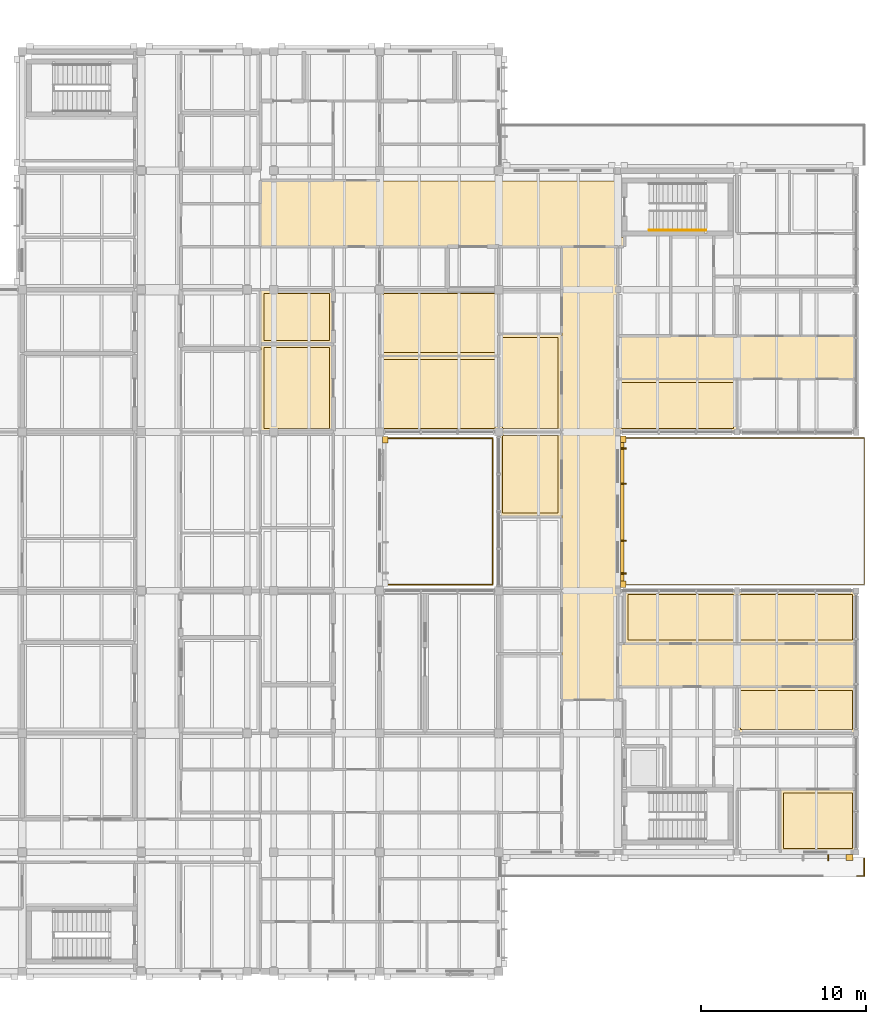
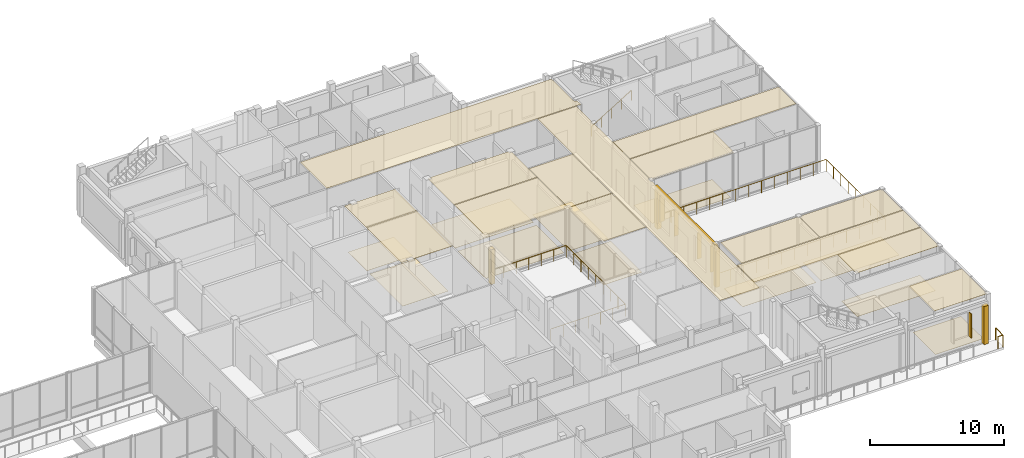
# One storey, part 144 of 146: 31 coverings, 5 shading devices, 4 railings.
"""IFC4 building model written with IfcOpenShell, lengths in metres."""

from ifc_helpers import new_model, si_unit, direction, frame, origin, origin_2d, place, context, subcontext, project, spatial, polyline, rectangle, circle, outline, extrude, material, layer, layer_set, type_object, element, save


model = new_model("IFC4")

# Units and contexts
model_context = context("Model", 3, precision=1e-05, world=origin(), true_north=direction((0.0, 1.0)))
body_context = subcontext(model_context, "Body", "Model", "MODEL_VIEW")
ifc_project = project(units=[si_unit("LENGTHUNIT", "METRE"), si_unit("AREAUNIT", "SQUARE_METRE"), si_unit("VOLUMEUNIT", "CUBIC_METRE"), si_unit("PLANEANGLEUNIT", "RADIAN"), si_unit("MASSUNIT", "GRAM", prefix="KILO")], contexts=[model_context])

# Site, building, storey
site_placement = place(None, origin())
site = spatial("IfcSite", under=ifc_project, at=site_placement, CompositionType="ELEMENT")
building_placement = place(site_placement, origin())
building = spatial("IfcBuilding", under=site, at=building_placement, Name="Hawrajan Terrace Health Centre", CompositionType="ELEMENT")
storey_placement = place(building_placement, frame((0.0, 0.0, 4.5)))
storey = spatial("IfcBuildingStorey", under=building, at=storey_placement, Name="L01", CompositionType="ELEMENT", Elevation=4.5)

# Coverings
ifc_material_1 = material(Name="Precast concrete C40/50", Category="concrete")
ifc_layer_1 = layer(ifc_material_1, 0.219970703125)
ifc_layer_set_1 = layer_set([ifc_layer_1], Name="Precast concrete C40/50")
covering_type_1 = type_object("IfcCoveringType", Name="ArtDecoCorniceBand", PredefinedType="CLADDING", material=ifc_layer_set_1)
covering_1_placement = place(storey_placement, frame((151.27001953125, 31.985107421875, 3.48974609375), z_axis=(0.0, 0.0, 1.0), x_axis=(0.0, 1.0, 0.0)))
element("IfcCovering", 1, at=covering_1_placement, inside=storey, type_object=covering_type_1, Name="Art Deco limestone cornice band CRN-L01-0098", PredefinedType="CLADDING", context=body_context, shape_type="SweptSolid", body=[
    extrude(rectangle(XDim=9.169921875, YDim=0.219970703125, at=origin_2d()), origin(), (0.0, 0.0, 1.0), 0.300048828125),
])
ifc_layer_2 = layer(ifc_material_1, 0.340087890625)
ifc_layer_set_2 = layer_set([ifc_layer_2], Name="Precast concrete C40/50")
covering_type_2 = type_object("IfcCoveringType", Name="ArtDecoStonePilaster", PredefinedType="CLADDING", material=ifc_layer_set_2)
covering_2_placement = place(storey_placement, frame((136.929931640625, 36.330078125, 0.0), z_axis=(0.0, 0.0, 1.0), x_axis=(0.0, 1.0, 0.0)))
element("IfcCovering", 2, at=covering_2_placement, inside=storey, type_object=covering_type_2, Name="Art Deco fluted limestone pilaster FPIL-L01-0161", PredefinedType="CLADDING", context=body_context, shape_type="SweptSolid", body=[
    extrude(rectangle(XDim=0.39990234375, YDim=0.340087890625, at=origin_2d()), origin(), (0.0, 0.0, 1.0), 3.199951171875),
])
for number, where, z_axis, x_axis, name in (
    (3, (151.330078125, 27.60009765625, 0.0), (0.0, 0.0, 1.0), (0.0, 1.0, 0.0), "Art Deco fluted limestone pilaster FPIL-L01-0174"),
    (4, (151.330078125, 36.3701171875, 0.0), (0.0, 0.0, 1.0), (0.0, 1.0, 0.0), "Art Deco fluted limestone pilaster FPIL-L01-0175"),
    (5, (165.0, 11.080078125, 0.0), (0.0, 0.0, 1.0), (1.0, 0.0, 0.0), "Art Deco fluted limestone pilaster FPIL-L01-0183"),
):
    element("IfcCovering", number, at=place(storey_placement, frame(where, z_axis=z_axis, x_axis=x_axis)), inside=storey, type_object=covering_type_2, Name=name, PredefinedType="CLADDING", context=body_context, shape_type="SweptSolid", body=[
        extrude(rectangle(XDim=0.39990234375, YDim=0.340087890625, at=origin_2d()), origin(), (0.0, 0.0, 1.0), 3.47998046875),
    ])
ifc_material_2 = material(Name="Hygienic mineral-fibre acoustic tile ceiling")
ifc_layer_3 = layer(ifc_material_2, 0.02490234375)
ifc_layer_set_3 = layer_set([ifc_layer_3], Name="Hygienic mineral-fibre acoustic tile ceiling")
covering_type_3 = type_object("IfcCoveringType", Name="ClinicalAcousticCeiling_25", PredefinedType="CEILING", material=ifc_layer_set_3)
covering_3_placement = place(storey_placement, frame((0.0, 0.0, 4.155029296875)))
element("IfcCovering", 6, at=covering_3_placement, inside=storey, type_object=covering_type_3, Name="Suspended ceiling L01-040", PredefinedType="CEILING", context=body_context, shape_type="SweptSolid", body=[
    extrude(outline(polyline([(147.6201171875, 47.97998046875), (150.97998046875, 47.97998046875), (150.97998046875, 20.6201171875), (147.6201171875, 20.6201171875), (147.6201171875, 47.97998046875)])), origin(), (0.0, 0.0, 1.0), 0.02490234375),
])
covering_4_placement = place(storey_placement, frame((0.0, 0.0, 4.155029296875)))
element("IfcCovering", 7, at=covering_4_placement, inside=storey, type_object=covering_type_3, Name="Suspended ceiling L01-041", PredefinedType="CEILING", context=body_context, shape_type="SweptSolid", body=[
    extrude(outline(polyline([(151.02001953125, 23.97998046875), (165.3798828125, 23.97998046875), (165.3798828125, 21.419921875), (151.02001953125, 21.419921875), (151.02001953125, 23.97998046875)])), origin(), (0.0, 0.0, 1.0), 0.02490234375),
])
covering_5_placement = place(storey_placement, frame((0.0, 0.0, 4.155029296875)))
element("IfcCovering", 8, at=covering_5_placement, inside=storey, type_object=covering_type_3, Name="Suspended ceiling L01-044", PredefinedType="CEILING", context=body_context, shape_type="SweptSolid", body=[
    extrude(outline(polyline([(151.02001953125, 42.580078125), (165.3798828125, 42.580078125), (165.3798828125, 40.02001953125), (151.02001953125, 40.02001953125), (151.02001953125, 42.580078125)])), origin(), (0.0, 0.0, 1.0), 0.02490234375),
])
covering_6_placement = place(storey_placement, frame((0.0, 0.0, 4.155029296875)))
element("IfcCovering", 9, at=covering_6_placement, inside=storey, type_object=covering_type_3, Name="Suspended ceiling L01-048", PredefinedType="CEILING", context=body_context, shape_type="SweptSolid", body=[
    extrude(outline(polyline([(151.3798828125, 48.02001953125), (129.425048828125, 48.02001953125), (129.425048828125, 51.97998046875), (151.1298828125, 51.97998046875), (151.1298828125, 48.800048828125), (151.1298828125, 48.799072265625), (151.131103515625, 48.7744140625), (151.13134765625, 48.772705078125), (151.135009765625, 48.748291015625), (151.135498046875, 48.746337890625), (151.141357421875, 48.72265625), (151.141845703125, 48.720703125), (151.150146484375, 48.697509765625), (151.15087890625, 48.69580078125), (151.161376953125, 48.673583984375), (151.162353515625, 48.671875), (151.175048828125, 48.65087890625), (151.176025390625, 48.649169921875), (151.190673828125, 48.62939453125), (151.19189453125, 48.6279296875), (151.20849609375, 48.60986328125), (151.209716796875, 48.6083984375), (151.22802734375, 48.591796875), (151.2294921875, 48.5908203125), (151.249267578125, 48.576171875), (151.250732421875, 48.574951171875), (151.27197265625, 48.5625), (151.273681640625, 48.561279296875), (151.2958984375, 48.551025390625), (151.297607421875, 48.55029296875), (151.32080078125, 48.5419921875), (151.322509765625, 48.54150390625), (151.346435546875, 48.535400390625), (151.348388671875, 48.534912109375), (151.37255859375, 48.531494140625), (151.37451171875, 48.53125), (151.3798828125, 48.531005859375), (151.3798828125, 48.02001953125)])), origin(), (0.0, 0.0, 1.0), 0.02490234375),
])
covering_7_placement = place(storey_placement, frame((0.0, 0.0, 4.155029296875)))
element("IfcCovering", 10, at=covering_7_placement, inside=storey, type_object=covering_type_3, Name="Suspended ceiling L01-165", PredefinedType="CEILING", context=body_context, shape_type="SweptSolid", body=[
    extrude(outline(polyline([(129.425048828125, 42.103515625), (133.780029296875, 42.103515625), (133.780029296875, 36.820068359375), (129.425048828125, 36.820068359375), (129.425048828125, 42.103515625)])), origin(), (0.0, 0.0, 1.0), 0.02490234375),
])
covering_8_placement = place(storey_placement, frame((0.0, 0.0, 4.155029296875)))
element("IfcCovering", 11, at=covering_8_placement, inside=storey, type_object=covering_type_3, Name="Suspended ceiling L01-166", PredefinedType="CEILING", context=body_context, shape_type="SweptSolid", body=[
    extrude(outline(polyline([(129.425048828125, 45.3798828125), (133.780029296875, 45.3798828125), (133.780029296875, 42.143310546875), (129.425048828125, 42.143310546875), (129.425048828125, 45.3798828125)])), origin(), (0.0, 0.0, 1.0), 0.02490234375),
])
covering_9_placement = place(storey_placement, frame((0.0, 0.0, 4.155029296875)))
element("IfcCovering", 12, at=covering_9_placement, inside=storey, type_object=covering_type_3, Name="Suspended ceiling L01-173", PredefinedType="CEILING", context=body_context, shape_type="SweptSolid", body=[
    extrude(outline(polyline([(136.6201171875, 41.372314453125), (143.780029296875, 41.372314453125), (143.780029296875, 36.820068359375), (136.6201171875, 36.820068359375), (136.6201171875, 41.372314453125)])), origin(), (0.0, 0.0, 1.0), 0.02490234375),
])
covering_10_placement = place(storey_placement, frame((0.0, 0.0, 4.155029296875)))
element("IfcCovering", 13, at=covering_10_placement, inside=storey, type_object=covering_type_3, Name="Suspended ceiling L01-174", PredefinedType="CEILING", context=body_context, shape_type="SweptSolid", body=[
    extrude(outline(polyline([(136.6201171875, 45.3798828125), (143.780029296875, 45.3798828125), (143.780029296875, 41.412353515625), (136.6201171875, 41.412353515625), (136.6201171875, 45.3798828125)])), origin(), (0.0, 0.0, 1.0), 0.02490234375),
])
covering_11_placement = place(storey_placement, frame((0.0, 0.0, 4.155029296875)))
element("IfcCovering", 14, at=covering_11_placement, inside=storey, type_object=covering_type_3, Name="Suspended ceiling L01-182", PredefinedType="CEILING", context=body_context, shape_type="SweptSolid", body=[
    extrude(outline(polyline([(143.820068359375, 36.780029296875), (147.580078125, 36.780029296875), (147.580078125, 31.693603515625), (143.820068359375, 31.693603515625), (143.820068359375, 36.780029296875)])), origin(), (0.0, 0.0, 1.0), 0.02490234375),
])
covering_12_placement = place(storey_placement, frame((0.0, 0.0, 4.155029296875)))
element("IfcCovering", 15, at=covering_12_placement, inside=storey, type_object=covering_type_3, Name="Suspended ceiling L01-183", PredefinedType="CEILING", context=body_context, shape_type="SweptSolid", body=[
    extrude(outline(polyline([(143.820068359375, 42.69677734375), (147.580078125, 42.69677734375), (147.580078125, 36.820068359375), (143.820068359375, 36.820068359375), (143.820068359375, 42.69677734375)])), origin(), (0.0, 0.0, 1.0), 0.02490234375),
])
covering_13_placement = place(storey_placement, frame((0.0, 0.0, 4.155029296875)))
element("IfcCovering", 16, at=covering_13_placement, inside=storey, type_object=covering_type_3, Name="Suspended ceiling L01-185", PredefinedType="CEILING", context=body_context, shape_type="SweptSolid", body=[
    extrude(outline(polyline([(151.419921875, 27.179931640625), (158.179931640625, 27.179931640625), (158.179931640625, 24.02001953125), (151.419921875, 24.02001953125), (151.419921875, 27.179931640625)])), origin(), (0.0, 0.0, 1.0), 0.02490234375),
])
covering_14_placement = place(storey_placement, frame((0.0, 0.0, 4.155029296875)))
element("IfcCovering", 17, at=covering_14_placement, inside=storey, type_object=covering_type_3, Name="Suspended ceiling L01-186", PredefinedType="CEILING", context=body_context, shape_type="SweptSolid", body=[
    extrude(outline(polyline([(151.02001953125, 39.97998046875), (158.179931640625, 39.97998046875), (158.179931640625, 36.820068359375), (151.02001953125, 36.820068359375), (151.02001953125, 39.97998046875)])), origin(), (0.0, 0.0, 1.0), 0.02490234375),
])
covering_15_placement = place(storey_placement, frame((0.0, 0.0, 4.155029296875)))
element("IfcCovering", 18, at=covering_15_placement, inside=storey, type_object=covering_type_3, Name="Suspended ceiling L01-187", PredefinedType="CEILING", context=body_context, shape_type="SweptSolid", body=[
    extrude(outline(polyline([(160.820068359375, 15.179931640625), (165.3798828125, 15.179931640625), (165.3798828125, 11.419921875), (160.820068359375, 11.419921875), (160.820068359375, 15.179931640625)])), origin(), (0.0, 0.0, 1.0), 0.02490234375),
])
covering_16_placement = place(storey_placement, frame((0.0, 0.0, 4.155029296875)))
element("IfcCovering", 19, at=covering_16_placement, inside=storey, type_object=covering_type_3, Name="Suspended ceiling L01-188", PredefinedType="CEILING", context=body_context, shape_type="SweptSolid", body=[
    extrude(outline(polyline([(158.219970703125, 21.3798828125), (165.3798828125, 21.3798828125), (165.3798828125, 18.6201171875), (158.219970703125, 18.6201171875), (158.219970703125, 21.3798828125)])), origin(), (0.0, 0.0, 1.0), 0.02490234375),
])
covering_17_placement = place(storey_placement, frame((0.0, 0.0, 4.155029296875)))
element("IfcCovering", 20, at=covering_17_placement, inside=storey, type_object=covering_type_3, Name="Suspended ceiling L01-189", PredefinedType="CEILING", context=body_context, shape_type="SweptSolid", body=[
    extrude(outline(polyline([(158.219970703125, 27.179931640625), (165.3798828125, 27.179931640625), (165.3798828125, 24.02001953125), (158.219970703125, 24.02001953125), (158.219970703125, 27.179931640625)])), origin(), (0.0, 0.0, 1.0), 0.02490234375),
])
ifc_material_3 = material(Name="Seamless medical-grade cushioned vinyl flooring")
ifc_layer_4 = layer(ifc_material_3, 0.011962890625)
ifc_layer_set_4 = layer_set([ifc_layer_4], Name="Seamless medical-grade cushioned vinyl flooring")
covering_type_4 = type_object("IfcCoveringType", Name="ClinicalVinylFlooring_12", PredefinedType="FLOORING", material=ifc_layer_set_4)
covering_18_placement = place(storey_placement, origin())
element("IfcCovering", 21, at=covering_18_placement, inside=storey, type_object=covering_type_4, Name="Floor finish L01-165", PredefinedType="FLOORING", context=body_context, shape_type="SweptSolid", body=[
    extrude(outline(polyline([(129.625, 41.9033203125), (133.580078125, 41.9033203125), (133.580078125, 37.02001953125), (129.625, 37.02001953125), (129.625, 41.9033203125)])), origin(), (0.0, 0.0, 1.0), 0.011962890625),
])
covering_19_placement = place(storey_placement, origin())
element("IfcCovering", 22, at=covering_19_placement, inside=storey, type_object=covering_type_4, Name="Floor finish L01-166", PredefinedType="FLOORING", context=body_context, shape_type="SweptSolid", body=[
    extrude(outline(polyline([(129.625, 45.179931640625), (133.580078125, 45.179931640625), (133.580078125, 42.343505859375), (129.625, 42.343505859375), (129.625, 45.179931640625)])), origin(), (0.0, 0.0, 1.0), 0.011962890625),
])
covering_20_placement = place(storey_placement, origin())
element("IfcCovering", 23, at=covering_20_placement, inside=storey, type_object=covering_type_4, Name="Floor finish L01-173", PredefinedType="FLOORING", context=body_context, shape_type="SweptSolid", body=[
    extrude(outline(polyline([(136.820068359375, 41.17236328125), (143.580078125, 41.17236328125), (143.580078125, 37.02001953125), (136.820068359375, 37.02001953125), (136.820068359375, 41.17236328125)])), origin(), (0.0, 0.0, 1.0), 0.011962890625),
])
covering_21_placement = place(storey_placement, origin())
element("IfcCovering", 24, at=covering_21_placement, inside=storey, type_object=covering_type_4, Name="Floor finish L01-174", PredefinedType="FLOORING", context=body_context, shape_type="SweptSolid", body=[
    extrude(outline(polyline([(136.820068359375, 45.179931640625), (143.580078125, 45.179931640625), (143.580078125, 41.6123046875), (136.820068359375, 41.6123046875), (136.820068359375, 45.179931640625)])), origin(), (0.0, 0.0, 1.0), 0.011962890625),
])
covering_22_placement = place(storey_placement, origin())
element("IfcCovering", 25, at=covering_22_placement, inside=storey, type_object=covering_type_4, Name="Floor finish L01-182", PredefinedType="FLOORING", context=body_context, shape_type="SweptSolid", body=[
    extrude(outline(polyline([(144.02001953125, 36.580078125), (147.3798828125, 36.580078125), (147.3798828125, 31.8935546875), (144.02001953125, 31.8935546875), (144.02001953125, 36.580078125)])), origin(), (0.0, 0.0, 1.0), 0.011962890625),
])
covering_23_placement = place(storey_placement, origin())
element("IfcCovering", 26, at=covering_23_placement, inside=storey, type_object=covering_type_4, Name="Floor finish L01-183", PredefinedType="FLOORING", context=body_context, shape_type="SweptSolid", body=[
    extrude(outline(polyline([(144.02001953125, 42.496826171875), (147.3798828125, 42.496826171875), (147.3798828125, 37.02001953125), (144.02001953125, 37.02001953125), (144.02001953125, 42.496826171875)])), origin(), (0.0, 0.0, 1.0), 0.011962890625),
])
covering_24_placement = place(storey_placement, origin())
element("IfcCovering", 27, at=covering_24_placement, inside=storey, type_object=covering_type_4, Name="Floor finish L01-185", PredefinedType="FLOORING", context=body_context, shape_type="SweptSolid", body=[
    extrude(outline(polyline([(151.6201171875, 26.97998046875), (157.97998046875, 26.97998046875), (157.97998046875, 24.219970703125), (151.6201171875, 24.219970703125), (151.6201171875, 26.97998046875)])), origin(), (0.0, 0.0, 1.0), 0.011962890625),
])
covering_25_placement = place(storey_placement, origin())
element("IfcCovering", 28, at=covering_25_placement, inside=storey, type_object=covering_type_4, Name="Floor finish L01-186", PredefinedType="FLOORING", context=body_context, shape_type="SweptSolid", body=[
    extrude(outline(polyline([(151.219970703125, 39.780029296875), (157.97998046875, 39.780029296875), (157.97998046875, 37.02001953125), (151.219970703125, 37.02001953125), (151.219970703125, 39.780029296875)])), origin(), (0.0, 0.0, 1.0), 0.011962890625),
])
covering_26_placement = place(storey_placement, origin())
element("IfcCovering", 29, at=covering_26_placement, inside=storey, type_object=covering_type_4, Name="Floor finish L01-187", PredefinedType="FLOORING", context=body_context, shape_type="SweptSolid", body=[
    extrude(outline(polyline([(161.02001953125, 14.97998046875), (165.179931640625, 14.97998046875), (165.179931640625, 11.6201171875), (161.02001953125, 11.6201171875), (161.02001953125, 14.97998046875)])), origin(), (0.0, 0.0, 1.0), 0.011962890625),
])
covering_27_placement = place(storey_placement, origin())
element("IfcCovering", 30, at=covering_27_placement, inside=storey, type_object=covering_type_4, Name="Floor finish L01-188", PredefinedType="FLOORING", context=body_context, shape_type="SweptSolid", body=[
    extrude(outline(polyline([(158.419921875, 21.179931640625), (165.179931640625, 21.179931640625), (165.179931640625, 18.820068359375), (158.419921875, 18.820068359375), (158.419921875, 21.179931640625)])), origin(), (0.0, 0.0, 1.0), 0.011962890625),
])
covering_28_placement = place(storey_placement, origin())
element("IfcCovering", 31, at=covering_28_placement, inside=storey, type_object=covering_type_4, Name="Floor finish L01-189", PredefinedType="FLOORING", context=body_context, shape_type="SweptSolid", body=[
    extrude(outline(polyline([(158.419921875, 26.97998046875), (165.179931640625, 26.97998046875), (165.179931640625, 24.219970703125), (158.419921875, 24.219970703125), (158.419921875, 26.97998046875)])), origin(), (0.0, 0.0, 1.0), 0.011962890625),
])

# Shading devices
ifc_material_4 = material(Name="Anodized bronze mashrabiya vertical solar fin")
ifc_layer_5 = layer(ifc_material_4, 0.080078125)
ifc_layer_set_5 = layer_set([ifc_layer_5], Name="Anodized bronze mashrabiya vertical solar fin")
shading_device_type = type_object("IfcShadingDeviceType", Name="MashrabiyaVerticalFin", PredefinedType="USERDEFINED", material=ifc_layer_set_5)
for number, where, z_axis, x_axis, name in (
    (32, (151.340087890625, 28.24755859375, 0.900146484375), (0.0, 0.0, 1.0), (0.0, 1.0, 0.0), "Bronze mashrabiya solar fin FIN-L01-0121"),
    (33, (151.340087890625, 30.2275390625, 0.900146484375), (0.0, 0.0, 1.0), (0.0, 1.0, 0.0), "Bronze mashrabiya solar fin FIN-L01-0122"),
    (34, (151.340087890625, 33.66748046875, 0.900146484375), (0.0, 0.0, 1.0), (0.0, 1.0, 0.0), "Bronze mashrabiya solar fin FIN-L01-0123"),
    (35, (151.340087890625, 35.797607421875, 0.900146484375), (0.0, 0.0, 1.0), (0.0, 1.0, 0.0), "Bronze mashrabiya solar fin FIN-L01-0124"),
):
    element("IfcShadingDevice", number, at=place(storey_placement, frame(where, z_axis=z_axis, x_axis=x_axis)), inside=storey, type_object=shading_device_type, Name=name, ObjectType="SOLAR_FIN", PredefinedType="USERDEFINED", context=body_context, shape_type="SweptSolid", body=[
        extrude(rectangle(XDim=0.080078125, YDim=0.360107421875, at=origin_2d()), origin(), (0.0, 0.0, 1.0), 2.39990234375),
    ])
shading_device_placement = place(storey_placement, frame((163.715087890625, 11.070068359375, 1.0), z_axis=(0.0, 0.0, 1.0), x_axis=(1.0, 0.0, 0.0)))
element("IfcShadingDevice", 36, at=shading_device_placement, inside=storey, type_object=shading_device_type, Name="Bronze mashrabiya solar fin FIN-L01-0126", ObjectType="SOLAR_FIN", PredefinedType="USERDEFINED", context=body_context, shape_type="SweptSolid", body=[
    extrude(rectangle(XDim=0.080078125, YDim=0.360107421875, at=origin_2d()), origin(), (0.0, 0.0, 1.0), 2.199951171875),
])

# Railings
ifc_material_5 = material(Name="Brushed stainless steel tubular handrail", Category="steel")
railing_type_1 = type_object("IfcRailingType", Name="StairHandrail_900", PredefinedType="HANDRAIL", material=ifc_material_5)
railing_1_placement = place(storey_placement, frame((152.875, 49.0, 0.173095703125)))
element("IfcRailing", 37, at=railing_1_placement, inside=storey, type_object=railing_type_1, Name="Stair handrail ST-9-L01-H1", PredefinedType="HANDRAIL", context=body_context, shape_type="SweptSolid", body=[
    extrude(circle(Radius=0.02392578125, at=origin_2d()), frame((0.024658203125, 0.0, 0.890625), z_axis=(0.856732359591, 0.0, 0.515761247119), x_axis=(0.0, 1.0, 0.0)), (0.0, 0.0, 1.0), 3.96923828125),
    extrude(circle(Radius=0.02099609375, at=origin_2d()), origin(), (0.0, 0.0, 1.0), 0.846923828125),
    extrude(circle(Radius=0.02099609375, at=origin_2d()), frame((0.862548828125, 0.0, 0.519287109375)), (0.0, 0.0, 1.0), 0.846923828125),
    extrude(circle(Radius=0.02099609375, at=origin_2d()), frame((1.72509765625, 0.0, 1.03857421875)), (0.0, 0.0, 1.0), 0.846923828125),
    extrude(circle(Radius=0.02099609375, at=origin_2d()), frame((2.58740234375, 0.0, 1.5576171875)), (0.0, 0.0, 1.0), 0.846923828125),
    extrude(circle(Radius=0.02099609375, at=origin_2d()), frame((3.449951171875, 0.0, 2.076904296875)), (0.0, 0.0, 1.0), 0.846923828125),
])
ifc_material_6 = material(Name="Anodized bronze post and balustrade guard")
railing_type_2 = type_object("IfcRailingType", Name="TerraceGuard_1120", PredefinedType="GUARDRAIL", material=ifc_material_6)
railing_2_placement = place(storey_placement, frame((151.3701171875, 27.570068359375, 0.0)))
element("IfcRailing", 38, at=railing_2_placement, inside=storey, type_object=railing_type_2, Name="Terrace apron guard GR-AP-GAIT-ALL", PredefinedType="GUARDRAIL", context=body_context, shape_type="SweptSolid", body=[
    extrude(circle(Radius=0.02392578125, at=origin_2d()), frame((0.02880859375, 0.0, 1.09619140625), z_axis=(1.0, 0.0, 0.0), x_axis=(0.0, 1.0, 0.0)), (0.0, 0.0, 1.0), 14.462158203125),
    extrude(circle(Radius=0.02392578125, at=origin_2d()), frame((14.519775390625, 0.02880859375, 1.09619140625), z_axis=(0.0, 1.0, 0.0), x_axis=(-1.0, 0.0, 0.0)), (0.0, 0.0, 1.0), 8.80224609375),
    extrude(circle(Radius=0.02392578125, at=origin_2d()), frame((14.490966796875, 8.85986328125, 1.09619140625), z_axis=(-1.0, 0.0, 0.0), x_axis=(0.0, -1.0, 0.0)), (0.0, 0.0, 1.0), 14.462158203125),
    extrude(circle(Radius=0.02099609375, at=origin_2d()), origin(), (0.0, 0.0, 1.0), 1.067138671875),
    extrude(circle(Radius=0.02099609375, at=origin_2d()), frame((1.116943359375, 0.0, 0.0)), (0.0, 0.0, 1.0), 1.067138671875),
    extrude(circle(Radius=0.02099609375, at=origin_2d()), frame((2.23388671875, 0.0, 0.0)), (0.0, 0.0, 1.0), 1.067138671875),
    extrude(circle(Radius=0.02099609375, at=origin_2d()), frame((3.350830078125, 0.0, 0.0)), (0.0, 0.0, 1.0), 1.067138671875),
    extrude(circle(Radius=0.02099609375, at=origin_2d()), frame((4.467529296875, 0.0, 0.0)), (0.0, 0.0, 1.0), 1.067138671875),
    extrude(circle(Radius=0.02099609375, at=origin_2d()), frame((5.58447265625, 0.0, 0.0)), (0.0, 0.0, 1.0), 1.067138671875),
    extrude(circle(Radius=0.02099609375, at=origin_2d()), frame((6.701416015625, 0.0, 0.0)), (0.0, 0.0, 1.0), 1.067138671875),
    extrude(circle(Radius=0.02099609375, at=origin_2d()), frame((7.818359375, 0.0, 0.0)), (0.0, 0.0, 1.0), 1.067138671875),
    extrude(circle(Radius=0.02099609375, at=origin_2d()), frame((8.935302734375, 0.0, 0.0)), (0.0, 0.0, 1.0), 1.067138671875),
    extrude(circle(Radius=0.02099609375, at=origin_2d()), frame((10.05224609375, 0.0, 0.0)), (0.0, 0.0, 1.0), 1.067138671875),
    extrude(circle(Radius=0.02099609375, at=origin_2d()), frame((11.1689453125, 0.0, 0.0)), (0.0, 0.0, 1.0), 1.067138671875),
    extrude(circle(Radius=0.02099609375, at=origin_2d()), frame((12.285888671875, 0.0, 0.0)), (0.0, 0.0, 1.0), 1.067138671875),
    extrude(circle(Radius=0.02099609375, at=origin_2d()), frame((13.40283203125, 0.0, 0.0)), (0.0, 0.0, 1.0), 1.067138671875),
    extrude(circle(Radius=0.02099609375, at=origin_2d()), frame((14.519775390625, 0.0, 0.0)), (0.0, 0.0, 1.0), 1.067138671875),
    extrude(circle(Radius=0.02099609375, at=origin_2d()), frame((14.519775390625, 1.107421875, 0.0)), (0.0, 0.0, 1.0), 1.067138671875),
    extrude(circle(Radius=0.02099609375, at=origin_2d()), frame((14.519775390625, 2.21484375, 0.0)), (0.0, 0.0, 1.0), 1.067138671875),
    extrude(circle(Radius=0.02099609375, at=origin_2d()), frame((14.519775390625, 3.322509765625, 0.0)), (0.0, 0.0, 1.0), 1.067138671875),
    extrude(circle(Radius=0.02099609375, at=origin_2d()), frame((14.519775390625, 4.429931640625, 0.0)), (0.0, 0.0, 1.0), 1.067138671875),
    extrude(circle(Radius=0.02099609375, at=origin_2d()), frame((14.519775390625, 5.537353515625, 0.0)), (0.0, 0.0, 1.0), 1.067138671875),
    extrude(circle(Radius=0.02099609375, at=origin_2d()), frame((14.519775390625, 6.64501953125, 0.0)), (0.0, 0.0, 1.0), 1.067138671875),
    extrude(circle(Radius=0.02099609375, at=origin_2d()), frame((14.519775390625, 7.75244140625, 0.0)), (0.0, 0.0, 1.0), 1.067138671875),
    extrude(circle(Radius=0.02099609375, at=origin_2d()), frame((14.519775390625, 8.85986328125, 0.0)), (0.0, 0.0, 1.0), 1.067138671875),
    extrude(circle(Radius=0.02099609375, at=origin_2d()), frame((13.40283203125, 8.85986328125, 0.0)), (0.0, 0.0, 1.0), 1.067138671875),
    extrude(circle(Radius=0.02099609375, at=origin_2d()), frame((12.285888671875, 8.85986328125, 0.0)), (0.0, 0.0, 1.0), 1.067138671875),
    extrude(circle(Radius=0.02099609375, at=origin_2d()), frame((11.1689453125, 8.85986328125, 0.0)), (0.0, 0.0, 1.0), 1.067138671875),
    extrude(circle(Radius=0.02099609375, at=origin_2d()), frame((10.05224609375, 8.85986328125, 0.0)), (0.0, 0.0, 1.0), 1.067138671875),
    extrude(circle(Radius=0.02099609375, at=origin_2d()), frame((8.935302734375, 8.85986328125, 0.0)), (0.0, 0.0, 1.0), 1.067138671875),
    extrude(circle(Radius=0.02099609375, at=origin_2d()), frame((7.818359375, 8.85986328125, 0.0)), (0.0, 0.0, 1.0), 1.067138671875),
    extrude(circle(Radius=0.02099609375, at=origin_2d()), frame((6.701416015625, 8.85986328125, 0.0)), (0.0, 0.0, 1.0), 1.067138671875),
    extrude(circle(Radius=0.02099609375, at=origin_2d()), frame((5.58447265625, 8.85986328125, 0.0)), (0.0, 0.0, 1.0), 1.067138671875),
    extrude(circle(Radius=0.02099609375, at=origin_2d()), frame((4.467529296875, 8.85986328125, 0.0)), (0.0, 0.0, 1.0), 1.067138671875),
    extrude(circle(Radius=0.02099609375, at=origin_2d()), frame((3.350830078125, 8.85986328125, 0.0)), (0.0, 0.0, 1.0), 1.067138671875),
    extrude(circle(Radius=0.02099609375, at=origin_2d()), frame((2.23388671875, 8.85986328125, 0.0)), (0.0, 0.0, 1.0), 1.067138671875),
    extrude(circle(Radius=0.02099609375, at=origin_2d()), frame((1.116943359375, 8.85986328125, 0.0)), (0.0, 0.0, 1.0), 1.067138671875),
    extrude(circle(Radius=0.02099609375, at=origin_2d()), frame((0.0, 8.85986328125, 0.0)), (0.0, 0.0, 1.0), 1.067138671875),
])
railing_3_placement = place(storey_placement, frame((165.449951171875, 9.9599609375, 0.0)))
element("IfcRailing", 39, at=railing_3_placement, inside=storey, type_object=railing_type_2, Name="Terrace apron guard GR-AP-ES-E", PredefinedType="GUARDRAIL", context=body_context, shape_type="SweptSolid", body=[
    extrude(circle(Radius=0.02392578125, at=origin_2d()), frame((0.02880859375, 0.0, 1.09619140625), z_axis=(1.0, 0.0, 0.0), x_axis=(0.0, 1.0, 0.0)), (0.0, 0.0, 1.0), 0.38232421875),
    extrude(circle(Radius=0.02392578125, at=origin_2d()), frame((0.43994140625, 0.02880859375, 1.09619140625), z_axis=(0.0, 1.0, 0.0), x_axis=(-1.0, 0.0, 0.0)), (0.0, 0.0, 1.0), 1.012451171875),
    extrude(circle(Radius=0.02099609375, at=origin_2d()), origin(), (0.0, 0.0, 1.0), 1.067138671875),
    extrude(circle(Radius=0.02099609375, at=origin_2d()), frame((0.43994140625, 0.0, 0.0)), (0.0, 0.0, 1.0), 1.067138671875),
    extrude(circle(Radius=0.02099609375, at=origin_2d()), frame((0.43994140625, 1.070068359375, 0.0)), (0.0, 0.0, 1.0), 1.067138671875),
])
railing_4_placement = place(storey_placement, frame((136.969970703125, 27.570068359375, 0.0)))
element("IfcRailing", 40, at=railing_4_placement, inside=storey, type_object=railing_type_2, Name="Terrace apron guard GR-AP-SRV-ALL", PredefinedType="GUARDRAIL", context=body_context, shape_type="SweptSolid", body=[
    extrude(circle(Radius=0.02392578125, at=origin_2d()), frame((0.02880859375, 0.0, 1.09619140625), z_axis=(1.0, 0.0, 0.0), x_axis=(0.0, 1.0, 0.0)), (0.0, 0.0, 1.0), 6.40234375),
    extrude(circle(Radius=0.02392578125, at=origin_2d()), frame((6.4599609375, 0.02880859375, 1.09619140625), z_axis=(0.0, 1.0, 0.0), x_axis=(-1.0, 0.0, 0.0)), (0.0, 0.0, 1.0), 8.80224609375),
    extrude(circle(Radius=0.02392578125, at=origin_2d()), frame((6.43115234375, 8.85986328125, 1.09619140625), z_axis=(-1.0, 0.0, 0.0), x_axis=(0.0, -1.0, 0.0)), (0.0, 0.0, 1.0), 6.40234375),
    extrude(circle(Radius=0.02099609375, at=origin_2d()), origin(), (0.0, 0.0, 1.0), 1.067138671875),
    extrude(circle(Radius=0.02099609375, at=origin_2d()), frame((1.07666015625, 0.0, 0.0)), (0.0, 0.0, 1.0), 1.067138671875),
    extrude(circle(Radius=0.02099609375, at=origin_2d()), frame((2.1533203125, 0.0, 0.0)), (0.0, 0.0, 1.0), 1.067138671875),
    extrude(circle(Radius=0.02099609375, at=origin_2d()), frame((3.22998046875, 0.0, 0.0)), (0.0, 0.0, 1.0), 1.067138671875),
    extrude(circle(Radius=0.02099609375, at=origin_2d()), frame((4.306640625, 0.0, 0.0)), (0.0, 0.0, 1.0), 1.067138671875),
    extrude(circle(Radius=0.02099609375, at=origin_2d()), frame((5.38330078125, 0.0, 0.0)), (0.0, 0.0, 1.0), 1.067138671875),
    extrude(circle(Radius=0.02099609375, at=origin_2d()), frame((6.4599609375, 0.0, 0.0)), (0.0, 0.0, 1.0), 1.067138671875),
    extrude(circle(Radius=0.02099609375, at=origin_2d()), frame((6.4599609375, 1.107421875, 0.0)), (0.0, 0.0, 1.0), 1.067138671875),
    extrude(circle(Radius=0.02099609375, at=origin_2d()), frame((6.4599609375, 2.21484375, 0.0)), (0.0, 0.0, 1.0), 1.067138671875),
    extrude(circle(Radius=0.02099609375, at=origin_2d()), frame((6.4599609375, 3.322509765625, 0.0)), (0.0, 0.0, 1.0), 1.067138671875),
    extrude(circle(Radius=0.02099609375, at=origin_2d()), frame((6.4599609375, 4.429931640625, 0.0)), (0.0, 0.0, 1.0), 1.067138671875),
    extrude(circle(Radius=0.02099609375, at=origin_2d()), frame((6.4599609375, 5.537353515625, 0.0)), (0.0, 0.0, 1.0), 1.067138671875),
    extrude(circle(Radius=0.02099609375, at=origin_2d()), frame((6.4599609375, 6.64501953125, 0.0)), (0.0, 0.0, 1.0), 1.067138671875),
    extrude(circle(Radius=0.02099609375, at=origin_2d()), frame((6.4599609375, 7.75244140625, 0.0)), (0.0, 0.0, 1.0), 1.067138671875),
    extrude(circle(Radius=0.02099609375, at=origin_2d()), frame((6.4599609375, 8.85986328125, 0.0)), (0.0, 0.0, 1.0), 1.067138671875),
    extrude(circle(Radius=0.02099609375, at=origin_2d()), frame((5.38330078125, 8.85986328125, 0.0)), (0.0, 0.0, 1.0), 1.067138671875),
    extrude(circle(Radius=0.02099609375, at=origin_2d()), frame((4.306640625, 8.85986328125, 0.0)), (0.0, 0.0, 1.0), 1.067138671875),
    extrude(circle(Radius=0.02099609375, at=origin_2d()), frame((3.22998046875, 8.85986328125, 0.0)), (0.0, 0.0, 1.0), 1.067138671875),
    extrude(circle(Radius=0.02099609375, at=origin_2d()), frame((2.1533203125, 8.85986328125, 0.0)), (0.0, 0.0, 1.0), 1.067138671875),
    extrude(circle(Radius=0.02099609375, at=origin_2d()), frame((1.07666015625, 8.85986328125, 0.0)), (0.0, 0.0, 1.0), 1.067138671875),
    extrude(circle(Radius=0.02099609375, at=origin_2d()), frame((0.0, 8.85986328125, 0.0)), (0.0, 0.0, 1.0), 1.067138671875),
])

save(model, "model.ifc")
